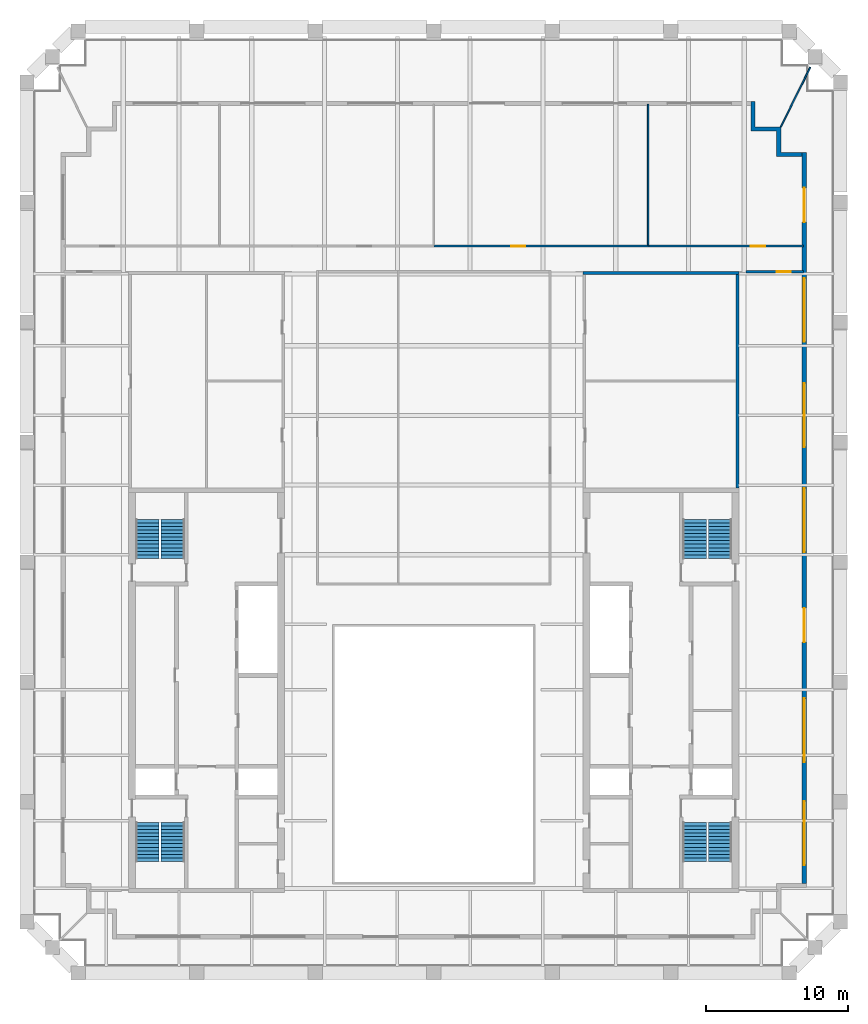
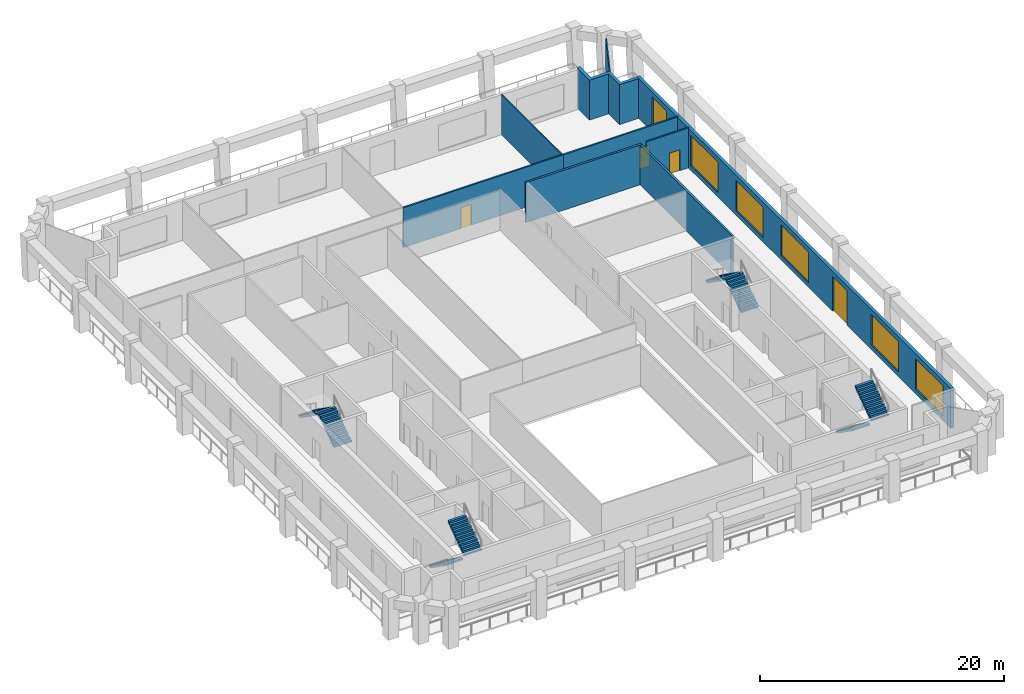
# One storey, part 6 of 7: 9 walls, 8 stair flights, 5 doors, 5 windows, 10 openings, 4 elements without a shape of their own.
"""IFC4 building model written with IfcOpenShell, lengths in metres."""

from ifc_helpers import new_model, si_unit, direction, frame, frame_2d, origin, place, context, subcontext, project, spatial, polyline, rectangle, outline, extrude, material, layer, layer_set, type_object, element, fill, aggregate, save


model = new_model("IFC4")

# Units and contexts
model_context = context("Model", 3, precision=1e-05, world=origin(), true_north=direction((0.0, 1.0)))
body_context = subcontext(model_context, "Body", "Model", "MODEL_VIEW")
ifc_project = project(units=[si_unit("LENGTHUNIT", "METRE"), si_unit("AREAUNIT", "SQUARE_METRE"), si_unit("VOLUMEUNIT", "CUBIC_METRE"), si_unit("PLANEANGLEUNIT", "RADIAN"), si_unit("MASSUNIT", "GRAM", prefix="KILO")], contexts=[model_context])

# Site, building, storey
site_placement = place(None, origin())
site = spatial("IfcSite", under=ifc_project, at=site_placement, CompositionType="ELEMENT")
building_placement = place(site_placement, origin())
building = spatial("IfcBuilding", under=site, at=building_placement, Name="Ogive Exchange Tower", CompositionType="ELEMENT")
storey_placement = place(building_placement, frame((0.0, 0.0, 330.0)))
storey = spatial("IfcBuildingStorey", under=building, at=storey_placement, Name="L72", CompositionType="ELEMENT", Elevation=330.0)

# Wall, opening, door
ifc_material_1 = material(Name="Fire partition EI 60 150")
ifc_layer_1 = layer(ifc_material_1, 0.14990234375)
ifc_layer_set_1 = layer_set([ifc_layer_1], Name="Fire partition EI 60 150")
wall_type_1 = type_object("IfcWallType", Name="Fire partition EI 60 150", PredefinedType="PARTITIONING", material=ifc_layer_set_1)
wall_1_placement = place(storey_placement, frame((0.0, 42.800048828125, 0.0), z_axis=(0.0, 0.0, 1.0), x_axis=(1.0, 0.0, 0.0)))
wall_1 = element("IfcWall", 1, at=wall_1_placement, inside=storey, type_object=wall_type_1, Name="L72-PWL-014", PredefinedType="PARTITIONING", context=body_context, shape_type="SweptSolid", body=[
    extrude(rectangle(XDim=15.14990234375, YDim=0.14990234375, at=frame_2d((7.574951171875, 0.0))), origin(), (0.0, 0.0, 1.0), 4.0),
])
opening_1_placement = place(wall_1_placement, frame((5.449951171875, 0.0, 0.0)))
opening_1 = element("IfcOpeningElement", 2, at=opening_1_placement, cuts=wall_1, Name="Opening L72-I01", PredefinedType="OPENING", context=body_context, shape_type="SweptSolid", body=[
    extrude(rectangle(XDim=1.0, YDim=2.10009765625, at=frame_2d((0.5, 1.050048828125))), frame((0.0, 0.0849609375, 0.0), z_axis=(0.0, -1.0, 0.0), x_axis=(1.0, 0.0, 0.0)), (0.0, 0.0, 1.0), 0.169921875),
])
ifc_material_2 = material(Name="Fire door FD 30S 1000 x 2100")
door_type_1 = type_object("IfcDoorType", Name="Fire door FD 30S 1000 x 2100", OperationType="NOTDEFINED", PredefinedType="DOOR", material=ifc_material_2)
door_1_placement = place(opening_1_placement, origin())
door_1 = element("IfcDoor", 3, at=door_1_placement, inside=storey, type_object=door_type_1, Name="L72-IDR-001", ObjectType="DT3", OperationType="SINGLE_SWING_LEFT", OverallHeight=2.10009765625, OverallWidth=1.0, PredefinedType="DOOR", context=body_context, shape_type="SweptSolid", body=[
    extrude(rectangle(XDim=1.0, YDim=2.10009765625, at=frame_2d((0.5, 1.050048828125))), frame((0.0, 0.02490234375, 0.0), z_axis=(0.0, -1.0, 0.0), x_axis=(1.0, 0.0, 0.0)), (0.0, 0.0, 1.0), 0.050048828125),
])
fill(opening_1, door_1)

wall_2_placement = place(storey_placement, frame((15.14990234375, 42.800048828125, 0.0), z_axis=(0.0, 0.0, 1.0), x_axis=(1.0, 0.0, 0.0)))
wall_2 = element("IfcWall", 4, at=wall_2_placement, inside=storey, type_object=wall_type_1, Name="L72-PWL-017", PredefinedType="PARTITIONING", context=body_context, shape_type="SweptSolid", body=[
    extrude(rectangle(XDim=10.900146484375, YDim=0.14990234375, at=frame_2d((5.4501953125, 0.0))), origin(), (0.0, 0.0, 1.0), 4.0),
])
opening_2_placement = place(wall_2_placement, frame((7.199951171875, 0.0, 0.0)))
opening_2 = element("IfcOpeningElement", 5, at=opening_2_placement, cuts=wall_2, Name="Opening L72-I02", PredefinedType="OPENING", context=body_context, shape_type="SweptSolid", body=[
    extrude(rectangle(XDim=1.0, YDim=2.10009765625, at=frame_2d((0.5, 1.050048828125))), frame((0.0, 0.0849609375, 0.0), z_axis=(0.0, -1.0, 0.0), x_axis=(1.0, 0.0, 0.0)), (0.0, 0.0, 1.0), 0.169921875),
])
door_2_placement = place(opening_2_placement, origin())
door_2 = element("IfcDoor", 6, at=door_2_placement, inside=storey, type_object=door_type_1, Name="L72-IDR-002", ObjectType="DT3", OperationType="SINGLE_SWING_LEFT", OverallHeight=2.10009765625, OverallWidth=1.0, PredefinedType="DOOR", context=body_context, shape_type="SweptSolid", body=[
    extrude(rectangle(XDim=1.0, YDim=2.10009765625, at=frame_2d((0.5, 1.050048828125))), frame((0.0, 0.02490234375, 0.0), z_axis=(0.0, -1.0, 0.0), x_axis=(1.0, 0.0, 0.0)), (0.0, 0.0, 1.0), 0.050048828125),
])
fill(opening_2, door_2)

wall_3_placement = place(storey_placement, frame((26.050048828125, 41.0, 0.0), z_axis=(0.0, 0.0, 1.0), x_axis=(-1.0, 0.0, 0.0)))
wall_3 = element("IfcWall", 7, at=wall_3_placement, inside=storey, type_object=wall_type_1, Name="L72-PWL-020", PredefinedType="PARTITIONING", context=body_context, shape_type="SweptSolid", body=[
    extrude(rectangle(XDim=4.050048828125, YDim=0.14990234375, at=frame_2d((2.02490234375, 0.0))), origin(), (0.0, 0.0, 1.0), 4.0),
])
opening_3_placement = place(wall_3_placement, frame((0.89990234375, 0.0, 0.0)))
opening_3 = element("IfcOpeningElement", 8, at=opening_3_placement, cuts=wall_3, Name="Opening L72-I08", PredefinedType="OPENING", context=body_context, shape_type="SweptSolid", body=[
    extrude(rectangle(XDim=1.0, YDim=2.10009765625, at=frame_2d((0.5, 1.050048828125))), frame((0.0, 0.0849609375, 0.0), z_axis=(0.0, -1.0, 0.0), x_axis=(1.0, 0.0, 0.0)), (0.0, 0.0, 1.0), 0.169921875),
])
door_3_placement = place(opening_3_placement, origin())
door_3 = element("IfcDoor", 9, at=door_3_placement, inside=storey, type_object=door_type_1, Name="L72-IDR-008", ObjectType="DT3", OperationType="SINGLE_SWING_RIGHT", OverallHeight=2.10009765625, OverallWidth=1.0, PredefinedType="DOOR", context=body_context, shape_type="SweptSolid", body=[
    extrude(rectangle(XDim=1.0, YDim=2.10009765625, at=frame_2d((0.5, 1.050048828125))), frame((0.0, 0.02490234375, 0.0), z_axis=(0.0, -1.0, 0.0), x_axis=(1.0, 0.0, 0.0)), (0.0, 0.0, 1.0), 0.050048828125),
])
fill(opening_3, door_3)

# Wall, openings, doors, windows
ifc_material_3 = material(Name="Precast concrete C40/50", Category="concrete")
ifc_layer_2 = layer(ifc_material_3, 0.300048828125)
ifc_layer_set_2 = layer_set([ifc_layer_2], Name="Limestone-faced wall 300")
wall_type_2 = type_object("IfcWallType", Name="Limestone-faced wall 300", PredefinedType="STANDARD", material=ifc_layer_set_2)
wall_4_placement = place(storey_placement, frame((26.10009765625, -2.10009765625, 0.0), z_axis=(0.0, 0.0, 1.0), x_axis=(0.0, 1.0, 0.0)))
wall_4 = element("IfcWall", 10, at=wall_4_placement, inside=storey, type_object=wall_type_2, Name="External wall E2", PredefinedType="STANDARD", context=body_context, shape_type="SweptSolid", body=[
    extrude(rectangle(XDim=51.5, YDim=0.300048828125, at=frame_2d((25.75, 0.0))), origin(), (0.0, 0.0, 1.0), 4.0),
])
opening_4_placement = place(wall_4_placement, frame((1.300048828125, 0.0, 0.449951171875)))
opening_4 = element("IfcOpeningElement", 11, at=opening_4_placement, cuts=wall_4, Name="Opening W1", PredefinedType="OPENING", context=body_context, shape_type="SweptSolid", body=[
    extrude(rectangle(XDim=4.5, YDim=3.050048828125, at=frame_2d((2.25, 1.52490234375))), frame((0.0, 0.159912109375, 0.0), z_axis=(0.0, -1.0, 0.0), x_axis=(1.0, 0.0, 0.0)), (0.0, 0.0, 1.0), 0.320068359375),
])
opening_5_placement = place(wall_4_placement, frame((8.550048828125, 0.0, 0.449951171875)))
opening_5 = element("IfcOpeningElement", 12, at=opening_5_placement, cuts=wall_4, Name="Opening W1", PredefinedType="OPENING", context=body_context, shape_type="SweptSolid", body=[
    extrude(rectangle(XDim=4.5, YDim=3.050048828125, at=frame_2d((2.25, 1.52490234375))), frame((0.0, 0.159912109375, 0.0), z_axis=(0.0, -1.0, 0.0), x_axis=(1.0, 0.0, 0.0)), (0.0, 0.0, 1.0), 0.320068359375),
])
opening_6_placement = place(wall_4_placement, frame((17.0, 0.0, 0.0)))
opening_6 = element("IfcOpeningElement", 13, at=opening_6_placement, cuts=wall_4, Name="Opening D1", PredefinedType="OPENING", context=body_context, shape_type="SweptSolid", body=[
    extrude(rectangle(XDim=2.39990234375, YDim=3.5, at=frame_2d((1.199951171875, 1.75))), frame((0.0, 0.159912109375, 0.0), z_axis=(0.0, -1.0, 0.0), x_axis=(1.0, 0.0, 0.0)), (0.0, 0.0, 1.0), 0.320068359375),
])
opening_7_placement = place(wall_4_placement, frame((23.35009765625, 0.0, 0.449951171875)))
opening_7 = element("IfcOpeningElement", 14, at=opening_7_placement, cuts=wall_4, Name="Opening W1", PredefinedType="OPENING", context=body_context, shape_type="SweptSolid", body=[
    extrude(rectangle(XDim=4.5, YDim=3.050048828125, at=frame_2d((2.25, 1.52490234375))), frame((0.0, 0.159912109375, 0.0), z_axis=(0.0, -1.0, 0.0), x_axis=(1.0, 0.0, 0.0)), (0.0, 0.0, 1.0), 0.320068359375),
])
opening_8_placement = place(wall_4_placement, frame((30.75, 0.0, 0.449951171875)))
opening_8 = element("IfcOpeningElement", 15, at=opening_8_placement, cuts=wall_4, Name="Opening W1", PredefinedType="OPENING", context=body_context, shape_type="SweptSolid", body=[
    extrude(rectangle(XDim=4.5, YDim=3.050048828125, at=frame_2d((2.25, 1.52490234375))), frame((0.0, 0.159912109375, 0.0), z_axis=(0.0, -1.0, 0.0), x_axis=(1.0, 0.0, 0.0)), (0.0, 0.0, 1.0), 0.320068359375),
])
opening_9_placement = place(wall_4_placement, frame((38.14990234375, 0.0, 0.449951171875)))
opening_9 = element("IfcOpeningElement", 16, at=opening_9_placement, cuts=wall_4, Name="Opening W1", PredefinedType="OPENING", context=body_context, shape_type="SweptSolid", body=[
    extrude(rectangle(XDim=4.5, YDim=3.050048828125, at=frame_2d((2.25, 1.52490234375))), frame((0.0, 0.159912109375, 0.0), z_axis=(0.0, -1.0, 0.0), x_axis=(1.0, 0.0, 0.0)), (0.0, 0.0, 1.0), 0.320068359375),
])
opening_10_placement = place(wall_4_placement, frame((46.60009765625, 0.0, 0.0)))
opening_10 = element("IfcOpeningElement", 17, at=opening_10_placement, cuts=wall_4, Name="Opening D1", PredefinedType="OPENING", context=body_context, shape_type="SweptSolid", body=[
    extrude(rectangle(XDim=2.39990234375, YDim=3.5, at=frame_2d((1.199951171875, 1.75))), frame((0.0, 0.159912109375, 0.0), z_axis=(0.0, -1.0, 0.0), x_axis=(1.0, 0.0, 0.0)), (0.0, 0.0, 1.0), 0.320068359375),
])
ifc_material_4 = material(Name="Clear glass in bronze frame", Category="glass")
door_type_2 = type_object("IfcDoorType", Name="Sliding loggia door 2400 x 3500", OperationType="DOUBLE_DOOR_SLIDING", PredefinedType="DOOR", material=ifc_material_4)
door_4_placement = place(opening_6_placement, origin())
door_4 = element("IfcDoor", 18, at=door_4_placement, inside=storey, type_object=door_type_2, Name="Loggia door E02", OperationType="DOUBLE_DOOR_SLIDING", OverallHeight=3.5, OverallWidth=2.39990234375, PredefinedType="DOOR", context=body_context, shape_type="SweptSolid", body=[
    extrude(rectangle(XDim=2.39990234375, YDim=3.5, at=frame_2d((1.199951171875, 1.75))), frame((0.0, 0.02490234375, 0.0), z_axis=(0.0, -1.0, 0.0), x_axis=(1.0, 0.0, 0.0)), (0.0, 0.0, 1.0), 0.050048828125),
])
fill(opening_6, door_4)
door_5_placement = place(opening_10_placement, origin())
door_5 = element("IfcDoor", 19, at=door_5_placement, inside=storey, type_object=door_type_2, Name="Loggia door E06", OperationType="DOUBLE_DOOR_SLIDING", OverallHeight=3.5, OverallWidth=2.39990234375, PredefinedType="DOOR", context=body_context, shape_type="SweptSolid", body=[
    extrude(rectangle(XDim=2.39990234375, YDim=3.5, at=frame_2d((1.199951171875, 1.75))), frame((0.0, 0.02490234375, 0.0), z_axis=(0.0, -1.0, 0.0), x_axis=(1.0, 0.0, 0.0)), (0.0, 0.0, 1.0), 0.050048828125),
])
fill(opening_10, door_5)
window_type = type_object("IfcWindowType", Name="Twin lancet window 4500 x 3050", PartitioningType="DOUBLE_PANEL_VERTICAL", PredefinedType="WINDOW", material=ifc_material_4)
window_1_placement = place(opening_4_placement, origin())
window_1 = element("IfcWindow", 20, at=window_1_placement, inside=storey, type_object=window_type, Name="Window E00", OverallHeight=3.050048828125, OverallWidth=4.5, PartitioningType="DOUBLE_PANEL_VERTICAL", PredefinedType="WINDOW", context=body_context, shape_type="SweptSolid", body=[
    extrude(rectangle(XDim=4.5, YDim=3.050048828125, at=frame_2d((2.25, 1.52490234375))), frame((0.0, 0.030029296875, 0.0), z_axis=(0.0, -1.0, 0.0), x_axis=(1.0, 0.0, 0.0)), (0.0, 0.0, 1.0), 0.06005859375),
])
fill(opening_4, window_1)
window_2_placement = place(opening_5_placement, origin())
window_2 = element("IfcWindow", 21, at=window_2_placement, inside=storey, type_object=window_type, Name="Window E01", OverallHeight=3.050048828125, OverallWidth=4.5, PartitioningType="DOUBLE_PANEL_VERTICAL", PredefinedType="WINDOW", context=body_context, shape_type="SweptSolid", body=[
    extrude(rectangle(XDim=4.5, YDim=3.050048828125, at=frame_2d((2.25, 1.52490234375))), frame((0.0, 0.030029296875, 0.0), z_axis=(0.0, -1.0, 0.0), x_axis=(1.0, 0.0, 0.0)), (0.0, 0.0, 1.0), 0.06005859375),
])
fill(opening_5, window_2)
window_3_placement = place(opening_7_placement, origin())
window_3 = element("IfcWindow", 22, at=window_3_placement, inside=storey, type_object=window_type, Name="Window E03", OverallHeight=3.050048828125, OverallWidth=4.5, PartitioningType="DOUBLE_PANEL_VERTICAL", PredefinedType="WINDOW", context=body_context, shape_type="SweptSolid", body=[
    extrude(rectangle(XDim=4.5, YDim=3.050048828125, at=frame_2d((2.25, 1.52490234375))), frame((0.0, 0.030029296875, 0.0), z_axis=(0.0, -1.0, 0.0), x_axis=(1.0, 0.0, 0.0)), (0.0, 0.0, 1.0), 0.06005859375),
])
fill(opening_7, window_3)
window_4_placement = place(opening_8_placement, origin())
window_4 = element("IfcWindow", 23, at=window_4_placement, inside=storey, type_object=window_type, Name="Window E04", OverallHeight=3.050048828125, OverallWidth=4.5, PartitioningType="DOUBLE_PANEL_VERTICAL", PredefinedType="WINDOW", context=body_context, shape_type="SweptSolid", body=[
    extrude(rectangle(XDim=4.5, YDim=3.050048828125, at=frame_2d((2.25, 1.52490234375))), frame((0.0, 0.030029296875, 0.0), z_axis=(0.0, -1.0, 0.0), x_axis=(1.0, 0.0, 0.0)), (0.0, 0.0, 1.0), 0.06005859375),
])
fill(opening_8, window_4)
window_5_placement = place(opening_9_placement, origin())
window_5 = element("IfcWindow", 24, at=window_5_placement, inside=storey, type_object=window_type, Name="Window E05", OverallHeight=3.050048828125, OverallWidth=4.5, PartitioningType="DOUBLE_PANEL_VERTICAL", PredefinedType="WINDOW", context=body_context, shape_type="SweptSolid", body=[
    extrude(rectangle(XDim=4.5, YDim=3.050048828125, at=frame_2d((2.25, 1.52490234375))), frame((0.0, 0.030029296875, 0.0), z_axis=(0.0, -1.0, 0.0), x_axis=(1.0, 0.0, 0.0)), (0.0, 0.0, 1.0), 0.06005859375),
])
fill(opening_9, window_5)

# Walls
wall_5_placement = place(storey_placement, origin())
element("IfcWall", 25, at=wall_5_placement, inside=storey, type_object=wall_type_2, Name="External corner wall C2", PredefinedType="STANDARD", context=body_context, shape_type="SweptSolid", body=[
    extrude(outline(polyline([(24.14990234375, 50.89990234375), (22.35009765625, 50.89990234375), (22.35009765625, 53.0), (22.64990234375, 53.0), (22.64990234375, 51.199951171875), (24.449951171875, 51.199951171875), (24.449951171875, 49.39990234375), (25.949951171875, 49.39990234375), (25.949951171875, 49.10009765625), (24.14990234375, 49.10009765625), (24.14990234375, 50.89990234375)])), origin(), (0.0, 0.0, 1.0), 4.0),
])
ifc_material_5 = material(Name="Laminated safety glass in steel frame", Category="steel")
ifc_layer_3 = layer(ifc_material_5, 0.10009765625)
ifc_layer_set_3 = layer_set([ifc_layer_3], Name="Loggia end screen 100")
wall_type_3 = type_object("IfcWallType", Name="Loggia end screen 100", PredefinedType="STANDARD", material=ifc_layer_set_3)
wall_6_placement = place(storey_placement, frame((24.449951171875, 51.199951171875, -0.050048828125), z_axis=(0.0, 0.0, 1.0), x_axis=(0.443209769794, 0.896417927063, 0.0)))
element("IfcWall", 26, at=wall_6_placement, inside=storey, type_object=wall_type_3, Name="Loggia end screen C2", PredefinedType="STANDARD", context=body_context, shape_type="SweptSolid", body=[
    extrude(rectangle(XDim=4.688232421875, YDim=0.10009765625, at=frame_2d((2.34423828125, 0.0))), origin(), (0.0, 0.0, 1.0), 4.050048828125),
])
ifc_material_6 = material(Name="Partition 100 gypsum")
ifc_layer_4 = layer(ifc_material_6, 0.10009765625)
ifc_layer_set_4 = layer_set([ifc_layer_4], Name="Partition 100 gypsum")
wall_type_4 = type_object("IfcWallType", Name="Partition 100 gypsum", PredefinedType="PARTITIONING", material=ifc_layer_set_4)
wall_7_placement = place(storey_placement, frame((15.10009765625, 52.800048828125, 0.0), z_axis=(0.0, 0.0, 1.0), x_axis=(0.0, -1.0, 0.0)))
element("IfcWall", 27, at=wall_7_placement, inside=storey, type_object=wall_type_4, Name="L72-PWL-018", PredefinedType="PARTITIONING", context=body_context, shape_type="SweptSolid", body=[
    extrude(rectangle(XDim=9.925048828125, YDim=0.10009765625, at=frame_2d((4.96240234375, 0.0))), origin(), (0.0, 0.0, 1.0), 4.0),
])
ifc_material_7 = material(Name="Concrete C70/85", Category="concrete")
ifc_layer_5 = layer(ifc_material_7, 0.199951171875)
ifc_layer_set_5 = layer_set([ifc_layer_5], Name="RC core wall 200 C70/85")
wall_type_5 = type_object("IfcWallType", Name="RC core wall 200 C70/85", PredefinedType="SHEAR", material=ifc_layer_set_5)
wall_8_placement = place(storey_placement, frame((21.39990234375, 25.75, 0.0), z_axis=(0.0, 0.0, 1.0), x_axis=(0.0, 1.0, 0.0)))
element("IfcWall", 28, at=wall_8_placement, inside=storey, type_object=wall_type_5, Name="E annex N outer wall", PredefinedType="SHEAR", context=body_context, shape_type="SweptSolid", body=[
    extrude(rectangle(XDim=15.050048828125, YDim=0.199951171875, at=frame_2d((7.52490234375, 0.0))), origin(), (0.0, 0.0, 1.0), 4.0),
])
wall_9_placement = place(storey_placement, frame((10.5, 40.89990234375, 0.0), z_axis=(0.0, 0.0, 1.0), x_axis=(1.0, 0.0, 0.0)))
element("IfcWall", 29, at=wall_9_placement, inside=storey, type_object=wall_type_5, Name="E annex N end wall", PredefinedType="SHEAR", context=body_context, shape_type="SweptSolid", body=[
    extrude(rectangle(XDim=11.0, YDim=0.199951171875, at=frame_2d((5.5, 0.0))), origin(), (0.0, 0.0, 1.0), 4.0),
])

# Stair, stair flights
ifc_material_8 = material(Name="Concrete C40/50", Category="concrete")
stair_type = type_object("IfcStairType", Name="Exit stair 1650 wide", PredefinedType="HALF_TURN_STAIR", material=ifc_material_8)
stair_1_placement = place(storey_placement, origin())
stair_1 = element("IfcStair", 30, at=stair_1_placement, inside=storey, type_object=stair_type, Name="L72 exit stair ST1", PredefinedType="HALF_TURN_STAIR")
stair_flight_type = type_object("IfcStairFlightType", Name="Stair flight 1650 wide", PredefinedType="STRAIGHT", material=ifc_material_8)
stair_flight_1_placement = place(storey_placement, frame((-20.175048828125, 2.199951171875, 0.0), z_axis=(0.0, 0.0, 1.0), x_axis=(0.0, -1.0, 0.0)))
stair_flight_1 = element("IfcStairFlight", 31, at=stair_flight_1_placement, type_object=stair_flight_type, Name="ST1 flight 1", NumberOfRisers=12, NumberOfTreads=11, PredefinedType="STRAIGHT", RiserHeight=0.175, TreadLength=0.25, context=body_context, shape_type="SweptSolid", body=[
    extrude(outline(polyline([(0.0, 0.0), (0.0, 0.175048828125), (0.25, 0.175048828125), (0.25, 0.35009765625), (0.5, 0.35009765625), (0.5, 0.52490234375), (0.75, 0.52490234375), (0.75, 0.699951171875), (1.0, 0.699951171875), (1.0, 0.875), (1.25, 0.875), (1.25, 1.050048828125), (1.5, 1.050048828125), (1.5, 1.22509765625), (1.75, 1.22509765625), (1.75, 1.39990234375), (2.0, 1.39990234375), (2.0, 1.574951171875), (2.25, 1.574951171875), (2.25, 1.75), (2.5, 1.75), (2.5, 1.925048828125), (2.75, 1.925048828125), (2.75, 2.10009765625), (2.75, 1.741943359375), (0.261474609375, 0.0), (0.0, 0.0)])), frame((0.0, 0.824951171875, 0.0), z_axis=(0.0, -1.0, 0.0), x_axis=(1.0, 0.0, 0.0)), (0.0, 0.0, 1.0), 1.64990234375),
])
stair_flight_2_placement = place(storey_placement, frame((-18.375, -0.550048828125, 2.10009765625), z_axis=(0.0, 0.0, 1.0), x_axis=(0.0, 1.0, 0.0)))
stair_flight_2 = element("IfcStairFlight", 32, at=stair_flight_2_placement, type_object=stair_flight_type, Name="ST1 flight 2", NumberOfRisers=12, NumberOfTreads=11, PredefinedType="STRAIGHT", RiserHeight=0.175, TreadLength=0.25, context=body_context, shape_type="SweptSolid", body=[
    extrude(outline(polyline([(0.0, 0.0), (0.0, 0.175048828125), (0.25, 0.175048828125), (0.25, 0.35009765625), (0.5, 0.35009765625), (0.5, 0.52490234375), (0.75, 0.52490234375), (0.75, 0.699951171875), (1.0, 0.699951171875), (1.0, 0.875), (1.25, 0.875), (1.25, 1.050048828125), (1.5, 1.050048828125), (1.5, 1.22509765625), (1.75, 1.22509765625), (1.75, 1.39990234375), (2.0, 1.39990234375), (2.0, 1.574951171875), (2.25, 1.574951171875), (2.25, 1.75), (2.5, 1.75), (2.5, 1.925048828125), (2.75, 1.925048828125), (2.75, 2.10009765625), (2.75, 1.741943359375), (0.261474609375, 0.0), (0.0, 0.0)])), frame((0.0, 0.824951171875, 0.0), z_axis=(0.0, -1.0, 0.0), x_axis=(1.0, 0.0, 0.0)), (0.0, 0.0, 1.0), 1.64990234375),
])
aggregate(stair_1, [stair_flight_1, stair_flight_2])

stair_2_placement = place(storey_placement, origin())
stair_2 = element("IfcStair", 33, at=stair_2_placement, inside=storey, type_object=stair_type, Name="L72 exit stair ST2", PredefinedType="HALF_TURN_STAIR")
stair_flight_3_placement = place(storey_placement, frame((-18.375, 20.800048828125, 0.0), z_axis=(0.0, 0.0, 1.0), x_axis=(0.0, 1.0, 0.0)))
stair_flight_3 = element("IfcStairFlight", 34, at=stair_flight_3_placement, type_object=stair_flight_type, Name="ST2 flight 1", NumberOfRisers=12, NumberOfTreads=11, PredefinedType="STRAIGHT", RiserHeight=0.175, TreadLength=0.25, context=body_context, shape_type="SweptSolid", body=[
    extrude(outline(polyline([(0.0, 0.0), (0.0, 0.175048828125), (0.25, 0.175048828125), (0.25, 0.35009765625), (0.5, 0.35009765625), (0.5, 0.52490234375), (0.75, 0.52490234375), (0.75, 0.699951171875), (1.0, 0.699951171875), (1.0, 0.875), (1.25, 0.875), (1.25, 1.050048828125), (1.5, 1.050048828125), (1.5, 1.22509765625), (1.75, 1.22509765625), (1.75, 1.39990234375), (2.0, 1.39990234375), (2.0, 1.574951171875), (2.25, 1.574951171875), (2.25, 1.75), (2.5, 1.75), (2.5, 1.925048828125), (2.75, 1.925048828125), (2.75, 2.10009765625), (2.75, 1.741943359375), (0.261474609375, 0.0), (0.0, 0.0)])), frame((0.0, 0.824951171875, 0.0), z_axis=(0.0, -1.0, 0.0), x_axis=(1.0, 0.0, 0.0)), (0.0, 0.0, 1.0), 1.64990234375),
])
stair_flight_4_placement = place(storey_placement, frame((-20.175048828125, 23.550048828125, 2.10009765625), z_axis=(0.0, 0.0, 1.0), x_axis=(0.0, -1.0, 0.0)))
stair_flight_4 = element("IfcStairFlight", 35, at=stair_flight_4_placement, type_object=stair_flight_type, Name="ST2 flight 2", NumberOfRisers=12, NumberOfTreads=11, PredefinedType="STRAIGHT", RiserHeight=0.175, TreadLength=0.25, context=body_context, shape_type="SweptSolid", body=[
    extrude(outline(polyline([(0.0, 0.0), (0.0, 0.175048828125), (0.25, 0.175048828125), (0.25, 0.35009765625), (0.5, 0.35009765625), (0.5, 0.52490234375), (0.75, 0.52490234375), (0.75, 0.699951171875), (1.0, 0.699951171875), (1.0, 0.875), (1.25, 0.875), (1.25, 1.050048828125), (1.5, 1.050048828125), (1.5, 1.22509765625), (1.75, 1.22509765625), (1.75, 1.39990234375), (2.0, 1.39990234375), (2.0, 1.574951171875), (2.25, 1.574951171875), (2.25, 1.75), (2.5, 1.75), (2.5, 1.925048828125), (2.75, 1.925048828125), (2.75, 2.10009765625), (2.75, 1.741943359375), (0.261474609375, 0.0), (0.0, 0.0)])), frame((0.0, 0.824951171875, 0.0), z_axis=(0.0, -1.0, 0.0), x_axis=(1.0, 0.0, 0.0)), (0.0, 0.0, 1.0), 1.64990234375),
])
aggregate(stair_2, [stair_flight_3, stair_flight_4])

stair_3_placement = place(storey_placement, origin())
stair_3 = element("IfcStair", 36, at=stair_3_placement, inside=storey, type_object=stair_type, Name="L72 exit stair ST3", PredefinedType="HALF_TURN_STAIR")
stair_flight_5_placement = place(storey_placement, frame((18.375, 2.199951171875, 0.0), z_axis=(0.0, 0.0, 1.0), x_axis=(0.0, -1.0, 0.0)))
stair_flight_5 = element("IfcStairFlight", 37, at=stair_flight_5_placement, type_object=stair_flight_type, Name="ST3 flight 1", NumberOfRisers=12, NumberOfTreads=11, PredefinedType="STRAIGHT", RiserHeight=0.175, TreadLength=0.25, context=body_context, shape_type="SweptSolid", body=[
    extrude(outline(polyline([(0.0, 0.0), (0.0, 0.175048828125), (0.25, 0.175048828125), (0.25, 0.35009765625), (0.5, 0.35009765625), (0.5, 0.52490234375), (0.75, 0.52490234375), (0.75, 0.699951171875), (1.0, 0.699951171875), (1.0, 0.875), (1.25, 0.875), (1.25, 1.050048828125), (1.5, 1.050048828125), (1.5, 1.22509765625), (1.75, 1.22509765625), (1.75, 1.39990234375), (2.0, 1.39990234375), (2.0, 1.574951171875), (2.25, 1.574951171875), (2.25, 1.75), (2.5, 1.75), (2.5, 1.925048828125), (2.75, 1.925048828125), (2.75, 2.10009765625), (2.75, 1.741943359375), (0.261474609375, 0.0), (0.0, 0.0)])), frame((0.0, 0.824951171875, 0.0), z_axis=(0.0, -1.0, 0.0), x_axis=(1.0, 0.0, 0.0)), (0.0, 0.0, 1.0), 1.64990234375),
])
stair_flight_6_placement = place(storey_placement, frame((20.175048828125, -0.550048828125, 2.10009765625), z_axis=(0.0, 0.0, 1.0), x_axis=(0.0, 1.0, 0.0)))
stair_flight_6 = element("IfcStairFlight", 38, at=stair_flight_6_placement, type_object=stair_flight_type, Name="ST3 flight 2", NumberOfRisers=12, NumberOfTreads=11, PredefinedType="STRAIGHT", RiserHeight=0.175, TreadLength=0.25, context=body_context, shape_type="SweptSolid", body=[
    extrude(outline(polyline([(0.0, 0.0), (0.0, 0.175048828125), (0.25, 0.175048828125), (0.25, 0.35009765625), (0.5, 0.35009765625), (0.5, 0.52490234375), (0.75, 0.52490234375), (0.75, 0.699951171875), (1.0, 0.699951171875), (1.0, 0.875), (1.25, 0.875), (1.25, 1.050048828125), (1.5, 1.050048828125), (1.5, 1.22509765625), (1.75, 1.22509765625), (1.75, 1.39990234375), (2.0, 1.39990234375), (2.0, 1.574951171875), (2.25, 1.574951171875), (2.25, 1.75), (2.5, 1.75), (2.5, 1.925048828125), (2.75, 1.925048828125), (2.75, 2.10009765625), (2.75, 1.741943359375), (0.261474609375, 0.0), (0.0, 0.0)])), frame((0.0, 0.824951171875, 0.0), z_axis=(0.0, -1.0, 0.0), x_axis=(1.0, 0.0, 0.0)), (0.0, 0.0, 1.0), 1.64990234375),
])
aggregate(stair_3, [stair_flight_5, stair_flight_6])

stair_4_placement = place(storey_placement, origin())
stair_4 = element("IfcStair", 39, at=stair_4_placement, inside=storey, type_object=stair_type, Name="L72 exit stair ST4", PredefinedType="HALF_TURN_STAIR")
stair_flight_7_placement = place(storey_placement, frame((20.175048828125, 20.800048828125, 0.0), z_axis=(0.0, 0.0, 1.0), x_axis=(0.0, 1.0, 0.0)))
stair_flight_7 = element("IfcStairFlight", 40, at=stair_flight_7_placement, type_object=stair_flight_type, Name="ST4 flight 1", NumberOfRisers=12, NumberOfTreads=11, PredefinedType="STRAIGHT", RiserHeight=0.175, TreadLength=0.25, context=body_context, shape_type="SweptSolid", body=[
    extrude(outline(polyline([(0.0, 0.0), (0.0, 0.175048828125), (0.25, 0.175048828125), (0.25, 0.35009765625), (0.5, 0.35009765625), (0.5, 0.52490234375), (0.75, 0.52490234375), (0.75, 0.699951171875), (1.0, 0.699951171875), (1.0, 0.875), (1.25, 0.875), (1.25, 1.050048828125), (1.5, 1.050048828125), (1.5, 1.22509765625), (1.75, 1.22509765625), (1.75, 1.39990234375), (2.0, 1.39990234375), (2.0, 1.574951171875), (2.25, 1.574951171875), (2.25, 1.75), (2.5, 1.75), (2.5, 1.925048828125), (2.75, 1.925048828125), (2.75, 2.10009765625), (2.75, 1.741943359375), (0.261474609375, 0.0), (0.0, 0.0)])), frame((0.0, 0.824951171875, 0.0), z_axis=(0.0, -1.0, 0.0), x_axis=(1.0, 0.0, 0.0)), (0.0, 0.0, 1.0), 1.64990234375),
])
stair_flight_8_placement = place(storey_placement, frame((18.375, 23.550048828125, 2.10009765625), z_axis=(0.0, 0.0, 1.0), x_axis=(0.0, -1.0, 0.0)))
stair_flight_8 = element("IfcStairFlight", 41, at=stair_flight_8_placement, type_object=stair_flight_type, Name="ST4 flight 2", NumberOfRisers=12, NumberOfTreads=11, PredefinedType="STRAIGHT", RiserHeight=0.175, TreadLength=0.25, context=body_context, shape_type="SweptSolid", body=[
    extrude(outline(polyline([(0.0, 0.0), (0.0, 0.175048828125), (0.25, 0.175048828125), (0.25, 0.35009765625), (0.5, 0.35009765625), (0.5, 0.52490234375), (0.75, 0.52490234375), (0.75, 0.699951171875), (1.0, 0.699951171875), (1.0, 0.875), (1.25, 0.875), (1.25, 1.050048828125), (1.5, 1.050048828125), (1.5, 1.22509765625), (1.75, 1.22509765625), (1.75, 1.39990234375), (2.0, 1.39990234375), (2.0, 1.574951171875), (2.25, 1.574951171875), (2.25, 1.75), (2.5, 1.75), (2.5, 1.925048828125), (2.75, 1.925048828125), (2.75, 2.10009765625), (2.75, 1.741943359375), (0.261474609375, 0.0), (0.0, 0.0)])), frame((0.0, 0.824951171875, 0.0), z_axis=(0.0, -1.0, 0.0), x_axis=(1.0, 0.0, 0.0)), (0.0, 0.0, 1.0), 1.64990234375),
])
aggregate(stair_4, [stair_flight_7, stair_flight_8])

save(model, "model.ifc")
